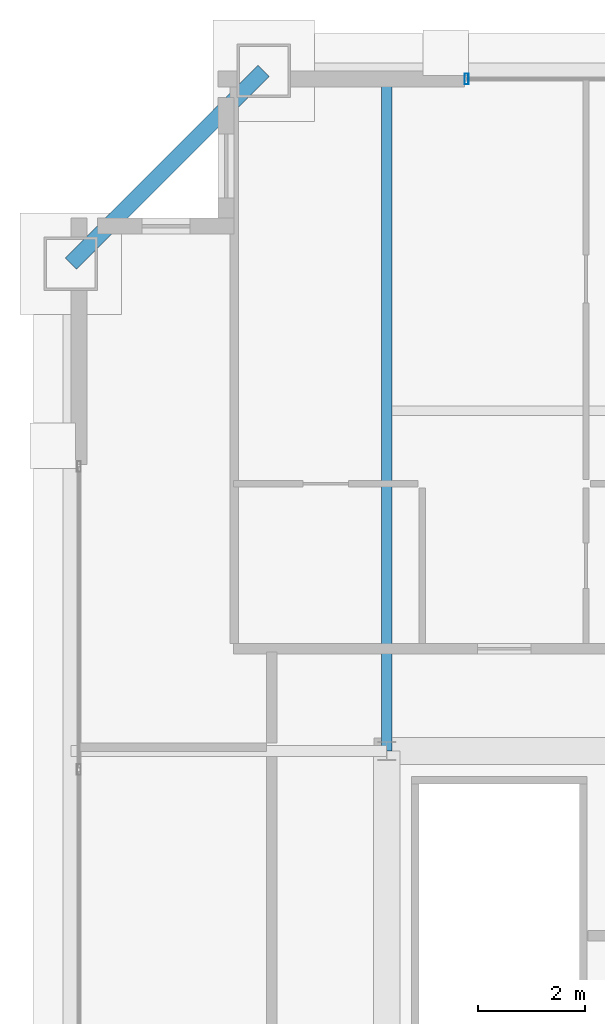
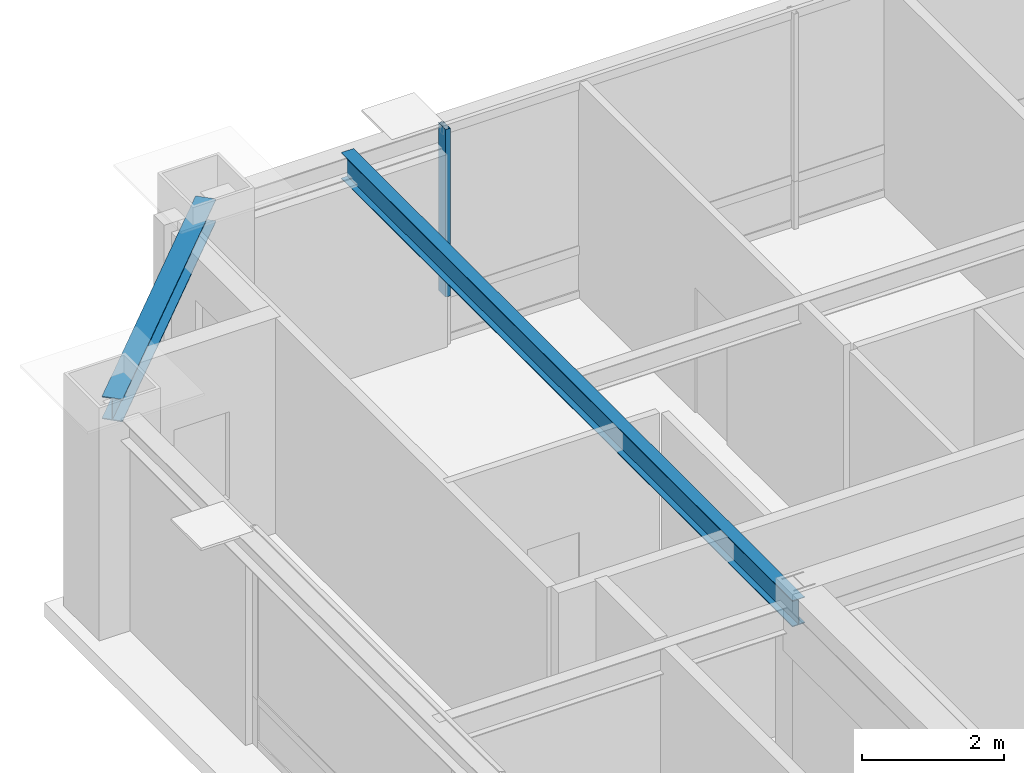
# One storey, part 16 of 34: 2 beams, 1 member, 1 element without a shape of its own.
"""IFC4 building model written with IfcOpenShell, lengths in metres."""

from ifc_helpers import new_model, si_unit, direction, frame, origin, origin_2d, place, context, subcontext, project, spatial, hollow_rectangle, i_section, extrude, source, transform, mapped, material, layer, layer_set, material_profile, profile_set, type_object, element, aggregate, save


model = new_model("IFC4")

# Units and contexts
model_context = context("Model", 3, precision=1e-05, world=origin(), true_north=direction((0.0, 1.0)))
body_context = subcontext(model_context, "Body", "Model", "MODEL_VIEW")
ifc_project = project(units=[si_unit("LENGTHUNIT", "METRE"), si_unit("AREAUNIT", "SQUARE_METRE"), si_unit("VOLUMEUNIT", "CUBIC_METRE"), si_unit("PLANEANGLEUNIT", "RADIAN"), si_unit("MASSUNIT", "GRAM", prefix="KILO"), si_unit("THERMODYNAMICTEMPERATUREUNIT", "KELVIN"), si_unit("POWERUNIT", "WATT")], contexts=[model_context])

# Site, building, storey
site_placement = place(None, origin())
site = spatial("IfcSite", under=ifc_project, at=site_placement, CompositionType="ELEMENT")
building_placement = place(site_placement, origin())
building = spatial("IfcBuilding", under=site, at=building_placement, Name="Yuzanri Waterfront Tower", CompositionType="ELEMENT")
storey_placement = place(building_placement, frame((0.0, 0.0, 347.199951171875)))
storey = spatial("IfcBuildingStorey", under=building, at=storey_placement, Name="L93", CompositionType="ELEMENT", Elevation=347.199951171875)

# Beams
ifc_material_1 = material(Name="Steel Q355B", Category="steel")
ifc_material_profile_1 = material_profile(ifc_material_1, i_section(OverallWidth=0.300048828125, OverallDepth=0.389892578125, WebThickness=0.010009765625, FlangeThickness=0.01611328125, at=origin_2d()), Name="HM 390x300x10x16")
ifc_profile_set_1 = profile_set([ifc_material_profile_1], Name="Steel Q355B")
beam_type_1 = type_object("IfcBeamType", Name="Perimeter Spandrel Q355B HM 390x300", PredefinedType="SPANDREL", material=ifc_profile_set_1)
shared_shape_1 = source(origin(), body_context, "Body", "SweptSolid", [
    extrude(i_section(OverallWidth=0.300048828125, OverallDepth=0.389892578125, WebThickness=0.010009765625, FlangeThickness=0.01611328125, at=origin_2d()), origin(), (0.0, 0.0, 1.0), 5.091064453125),
])
beam_1_placement = place(storey_placement, frame((21.5, 44.89990234375, 3.505126953125), z_axis=(-0.707130757816, -0.707082803744, 0.0), x_axis=(0.707082803744, -0.707130757816, 0.0)))
element("IfcBeam", 1, at=beam_1_placement, inside=storey, type_object=beam_type_1, Name="L93 Perimeter Spandrel N1-W3", PredefinedType="SPANDREL", context=body_context, shape_type="MappedRepresentation", body=[
    mapped(shared_shape_1, transform((0.0, 0.0, 0.0), scale=1.0)),
])
ifc_material_2 = material(Name="Steel Q355B", Category="steel")
ifc_material_profile_2 = material_profile(ifc_material_2, i_section(OverallWidth=0.199951171875, OverallDepth=0.449951171875, WebThickness=0.009033203125, FlangeThickness=0.013916015625, at=origin_2d()), Name="HN 450x200x9x14")
ifc_profile_set_2 = profile_set([ifc_material_profile_2], Name="Steel Q355B")
beam_type_2 = type_object("IfcBeamType", Name="Secondary Floor Beam Q355B HN 450x200", PredefinedType="BEAM", material=ifc_profile_set_2)
shared_shape_2 = source(origin(), body_context, "Body", "SweptSolid", [
    extrude(i_section(OverallWidth=0.199951171875, OverallDepth=0.449951171875, WebThickness=0.009033203125, FlangeThickness=0.013916015625, at=origin_2d()), origin(), (0.0, 0.0, 1.0), 12.699951171875),
])
beam_2_placement = place(storey_placement, frame((23.800048828125, 32.199951171875, 3.47509765625), z_axis=(0.0, 1.0, 0.0), x_axis=(-1.0, 0.0, 0.0)))
element("IfcBeam", 2, at=beam_2_placement, inside=storey, type_object=beam_type_2, Name="L93 North-West Core Line Beam", PredefinedType="BEAM", context=body_context, shape_type="MappedRepresentation", body=[
    mapped(shared_shape_2, transform((0.0, 0.0, 0.0), scale=1.0)),
])

# Curtain wall, member
ifc_material_3 = material(Name="Anodized Architectural Bronze", Category="metal")
ifc_layer = layer(ifc_material_3, 0.159912109375)
ifc_layer_set = layer_set([ifc_layer], Name="Anodized Architectural Bronze")
curtain_wall_type = type_object("IfcCurtainWallType", Name="Anodized Bronze High-Rise Penthouse High-Wind Unitized Curtain Wall 6900", PredefinedType="NOTDEFINED", material=ifc_layer_set)
curtain_wall_placement = place(storey_placement, origin())
curtain_wall = element("IfcCurtainWall", 3, at=curtain_wall_placement, inside=storey, type_object=curtain_wall_type, Name="L93 Curtain Wall CW-L93-NL", PredefinedType="NOTDEFINED")
ifc_material_4 = material(Name="Anodized Architectural Bronze", Category="metal")
ifc_material_profile_3 = material_profile(ifc_material_4, hollow_rectangle(XDim=0.074951171875, YDim=0.199951171875, WallThickness=0.00390625, at=origin_2d()), Name="CWM 75x200")
ifc_profile_set_3 = profile_set([ifc_material_profile_3], Name="Anodized Architectural Bronze")
member_type = type_object("IfcMemberType", Name="Anodized Bronze Primary Curtain-Wall Mullion 75x200", PredefinedType="MULLION", material=ifc_profile_set_3)
shared_shape_3 = source(origin(), body_context, "Body", "SweptSolid", [
    extrude(hollow_rectangle(XDim=0.074951171875, YDim=0.199951171875, WallThickness=0.00390625, at=origin_2d()), origin(), (0.0, 0.0, 1.0), 2.8779296875),
])
member_placement = place(storey_placement, frame((25.2900390625, 44.75, 0.822021484375), z_axis=(0.0, 0.0, 1.0), x_axis=(1.0, 0.0, 0.0)))
member = element("IfcMember", 4, at=member_placement, type_object=member_type, Name="CW-L93-NL Upper Mullion 00", PredefinedType="MULLION", context=body_context, shape_type="MappedRepresentation", body=[
    mapped(shared_shape_3, transform((0.0, 0.0, 0.0), scale=1.0)),
])
aggregate(curtain_wall, [member])

save(model, "model.ifc")
